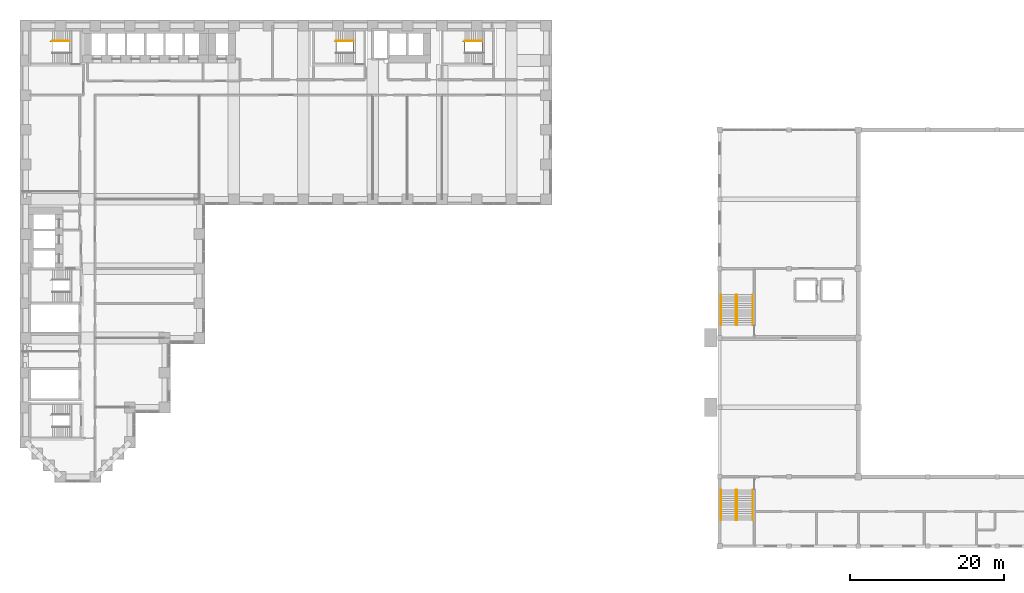
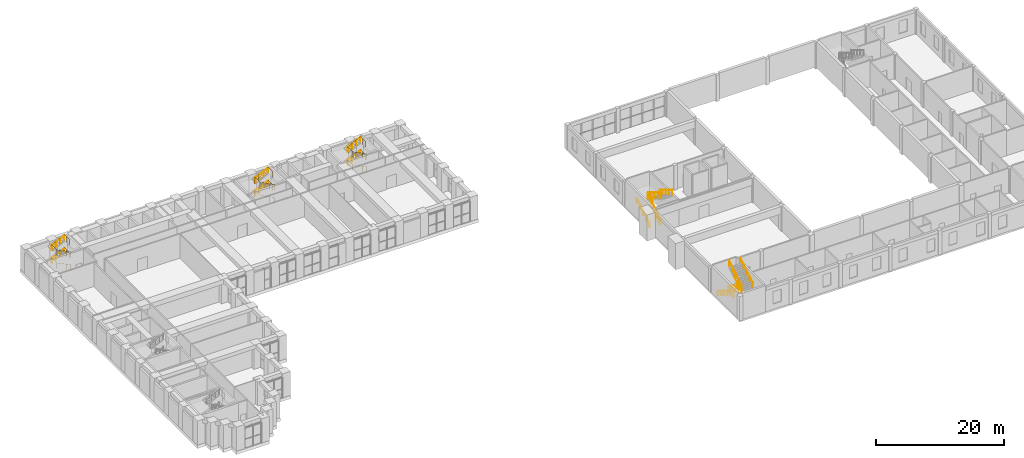
# One storey, part 28 of 30: 21 railings.
"""IFC4 building model written with IfcOpenShell, lengths in metres."""

from ifc_helpers import new_model, si_unit, direction, frame, origin, origin_2d, place, context, subcontext, project, spatial, circle, extrude, material, type_object, element, save


model = new_model("IFC4")

# Units and contexts
model_context = context("Model", 3, precision=1e-05, world=origin(), true_north=direction((0.0, 1.0)))
body_context = subcontext(model_context, "Body", "Model", "MODEL_VIEW")
ifc_project = project(units=[si_unit("LENGTHUNIT", "METRE"), si_unit("AREAUNIT", "SQUARE_METRE"), si_unit("VOLUMEUNIT", "CUBIC_METRE"), si_unit("PLANEANGLEUNIT", "RADIAN"), si_unit("MASSUNIT", "GRAM", prefix="KILO")], contexts=[model_context])

# Site, building, storey
site_placement = place(None, origin())
site = spatial("IfcSite", under=ifc_project, at=site_placement, CompositionType="ELEMENT")
building_placement = place(site_placement, origin())
building = spatial("IfcBuilding", under=site, at=building_placement, Name="Firuza Court", CompositionType="ELEMENT")
storey_placement = place(building_placement, frame((0.0, 0.0, 9.0)))
storey = spatial("IfcBuildingStorey", under=building, at=storey_placement, Name="L01", CompositionType="ELEMENT", Elevation=9.0)

# Railings
ifc_material_1 = material(Name="Steel S355", Category="steel")
railing_type_1 = type_object("IfcRailingType", Name="HALL HANDRAIL 900", PredefinedType="HANDRAIL", material=ifc_material_1)
railing_1_placement = place(storey_placement, frame((90.18994140625, -1.699951171875, 0.166748046875)))
element("IfcRailing", 1, at=railing_1_placement, inside=storey, type_object=railing_type_1, Name="Stair H1 flight 1 handrail L01", PredefinedType="HANDRAIL", context=body_context, shape_type="SweptSolid", body=[
    extrude(circle(Radius=0.02099609375, at=origin_2d()), frame((0.0, 0.0, 0.87890625), z_axis=(0.0, -0.859310244771, 0.511454693235), x_axis=(1.0, 0.0, 0.0)), (0.0, 0.0, 1.0), 4.56201171875),
    extrude(circle(Radius=0.02001953125, at=origin_2d()), origin(), (0.0, 0.0, 1.0), 0.85791015625),
    extrude(circle(Radius=0.02001953125, at=origin_2d()), frame((0.0, -0.97998046875, 0.583251953125)), (0.0, 0.0, 1.0), 0.85791015625),
    extrude(circle(Radius=0.02001953125, at=origin_2d()), frame((0.0, -1.9599609375, 1.16650390625)), (0.0, 0.0, 1.0), 0.85791015625),
    extrude(circle(Radius=0.02001953125, at=origin_2d()), frame((0.0, -2.940185546875, 1.75)), (0.0, 0.0, 1.0), 0.85791015625),
    extrude(circle(Radius=0.02001953125, at=origin_2d()), frame((0.0, -3.920166015625, 2.333251953125)), (0.0, 0.0, 1.0), 0.85791015625),
])
for number, where, name in (
    (2, (94.31005859375, -5.6201171875, 2.666748046875), "Stair H1 flight 2 handrail L01"),
    (3, (90.18994140625, 19.699951171875, 0.166748046875), "Stair H3 flight 1 handrail L01"),
):
    element("IfcRailing", number, at=place(storey_placement, frame(where)), inside=storey, type_object=railing_type_1, Name=name, PredefinedType="HANDRAIL", context=body_context, shape_type="SweptSolid", body=[
        extrude(circle(Radius=0.02099609375, at=origin_2d()), frame((0.0, 0.0, 0.87890625), z_axis=(0.0, 0.859310244771, 0.511454693235), x_axis=(-1.0, 0.0, 0.0)), (0.0, 0.0, 1.0), 4.56201171875),
        extrude(circle(Radius=0.02001953125, at=origin_2d()), origin(), (0.0, 0.0, 1.0), 0.85791015625),
        extrude(circle(Radius=0.02001953125, at=origin_2d()), frame((0.0, 0.97998046875, 0.583251953125)), (0.0, 0.0, 1.0), 0.85791015625),
        extrude(circle(Radius=0.02001953125, at=origin_2d()), frame((0.0, 1.9599609375, 1.16650390625)), (0.0, 0.0, 1.0), 0.85791015625),
        extrude(circle(Radius=0.02001953125, at=origin_2d()), frame((0.0, 2.940185546875, 1.75)), (0.0, 0.0, 1.0), 0.85791015625),
        extrude(circle(Radius=0.02001953125, at=origin_2d()), frame((0.0, 3.920166015625, 2.333251953125)), (0.0, 0.0, 1.0), 0.85791015625),
    ])
railing_2_placement = place(storey_placement, frame((94.31005859375, 23.6201171875, 2.666748046875)))
element("IfcRailing", 4, at=railing_2_placement, inside=storey, type_object=railing_type_1, Name="Stair H3 flight 2 handrail L01", PredefinedType="HANDRAIL", context=body_context, shape_type="SweptSolid", body=[
    extrude(circle(Radius=0.02099609375, at=origin_2d()), frame((0.0, 0.0, 0.87890625), z_axis=(0.0, -0.859310244771, 0.511454693235), x_axis=(1.0, 0.0, 0.0)), (0.0, 0.0, 1.0), 4.56201171875),
    extrude(circle(Radius=0.02001953125, at=origin_2d()), origin(), (0.0, 0.0, 1.0), 0.85791015625),
    extrude(circle(Radius=0.02001953125, at=origin_2d()), frame((0.0, -0.97998046875, 0.583251953125)), (0.0, 0.0, 1.0), 0.85791015625),
    extrude(circle(Radius=0.02001953125, at=origin_2d()), frame((0.0, -1.9599609375, 1.16650390625)), (0.0, 0.0, 1.0), 0.85791015625),
    extrude(circle(Radius=0.02001953125, at=origin_2d()), frame((0.0, -2.940185546875, 1.75)), (0.0, 0.0, 1.0), 0.85791015625),
    extrude(circle(Radius=0.02001953125, at=origin_2d()), frame((0.0, -3.920166015625, 2.333251953125)), (0.0, 0.0, 1.0), 0.85791015625),
])
ifc_material_2 = material(Name="Steel S355", Category="steel")
railing_type_2 = type_object("IfcRailingType", Name="HALL RAILING 1100", PredefinedType="GUARDRAIL", material=ifc_material_2)
railing_3_placement = place(storey_placement, frame((92.14990234375, -1.699951171875, 0.166748046875)))
element("IfcRailing", 5, at=railing_3_placement, inside=storey, type_object=railing_type_2, Name="Stair H1 flight 1 guard L01", PredefinedType="GUARDRAIL", context=body_context, shape_type="SweptSolid", body=[
    extrude(circle(Radius=0.02392578125, at=origin_2d()), frame((0.0, 0.0, 1.076171875), z_axis=(0.0, -0.859310244771, 0.511454693235), x_axis=(1.0, 0.0, 0.0)), (0.0, 0.0, 1.0), 4.56201171875),
    extrude(circle(Radius=0.02099609375, at=origin_2d()), origin(), (0.0, 0.0, 1.0), 1.052001953125),
    extrude(circle(Radius=0.02099609375, at=origin_2d()), frame((0.0, -0.97998046875, 0.583251953125)), (0.0, 0.0, 1.0), 1.052001953125),
    extrude(circle(Radius=0.02099609375, at=origin_2d()), frame((0.0, -1.9599609375, 1.16650390625)), (0.0, 0.0, 1.0), 1.052001953125),
    extrude(circle(Radius=0.02099609375, at=origin_2d()), frame((0.0, -2.940185546875, 1.75)), (0.0, 0.0, 1.0), 1.052001953125),
    extrude(circle(Radius=0.02099609375, at=origin_2d()), frame((0.0, -3.920166015625, 2.333251953125)), (0.0, 0.0, 1.0), 1.052001953125),
])
railing_4_placement = place(storey_placement, frame((92.25, -5.6201171875, 2.666748046875)))
element("IfcRailing", 6, at=railing_4_placement, inside=storey, type_object=railing_type_2, Name="Stair H1 flight 2 guard L01", PredefinedType="GUARDRAIL", context=body_context, shape_type="SweptSolid", body=[
    extrude(circle(Radius=0.02392578125, at=origin_2d()), frame((0.0, 0.0, 1.076171875), z_axis=(0.0, 0.859310244771, 0.511454693235), x_axis=(-1.0, 0.0, 0.0)), (0.0, 0.0, 1.0), 4.56201171875),
    extrude(circle(Radius=0.02099609375, at=origin_2d()), origin(), (0.0, 0.0, 1.0), 1.052001953125),
    extrude(circle(Radius=0.02099609375, at=origin_2d()), frame((0.0, 0.97998046875, 0.583251953125)), (0.0, 0.0, 1.0), 1.052001953125),
    extrude(circle(Radius=0.02099609375, at=origin_2d()), frame((0.0, 1.9599609375, 1.16650390625)), (0.0, 0.0, 1.0), 1.052001953125),
    extrude(circle(Radius=0.02099609375, at=origin_2d()), frame((0.0, 2.940185546875, 1.75)), (0.0, 0.0, 1.0), 1.052001953125),
    extrude(circle(Radius=0.02099609375, at=origin_2d()), frame((0.0, 3.920166015625, 2.333251953125)), (0.0, 0.0, 1.0), 1.052001953125),
])
railing_5_placement = place(storey_placement, frame((92.199951171875, -4.1201171875, 2.5)))
element("IfcRailing", 7, at=railing_5_placement, inside=storey, type_object=railing_type_2, Name="Stair H1 landing guard 1 L01", PredefinedType="GUARDRAIL", context=body_context, shape_type="SweptSolid", body=[
    extrude(circle(Radius=0.02392578125, at=origin_2d()), frame((0.0, 0.0, 1.076171875), z_axis=(0.0, -1.0, 0.0), x_axis=(1.0, 0.0, 0.0)), (0.0, 0.0, 1.0), 1.5),
    extrude(circle(Radius=0.02099609375, at=origin_2d()), origin(), (0.0, 0.0, 1.0), 1.052001953125),
    extrude(circle(Radius=0.02099609375, at=origin_2d()), frame((0.0, -0.75, 0.0)), (0.0, 0.0, 1.0), 1.052001953125),
    extrude(circle(Radius=0.02099609375, at=origin_2d()), frame((0.0, -1.5, 0.0)), (0.0, 0.0, 1.0), 1.052001953125),
])
railing_6_placement = place(storey_placement, frame((92.14990234375, 19.699951171875, 0.166748046875)))
element("IfcRailing", 8, at=railing_6_placement, inside=storey, type_object=railing_type_2, Name="Stair H3 flight 1 guard L01", PredefinedType="GUARDRAIL", context=body_context, shape_type="SweptSolid", body=[
    extrude(circle(Radius=0.02392578125, at=origin_2d()), frame((0.0, 0.0, 1.076171875), z_axis=(0.0, 0.859310244771, 0.511454693235), x_axis=(-1.0, 0.0, 0.0)), (0.0, 0.0, 1.0), 4.56201171875),
    extrude(circle(Radius=0.02099609375, at=origin_2d()), origin(), (0.0, 0.0, 1.0), 1.052001953125),
    extrude(circle(Radius=0.02099609375, at=origin_2d()), frame((0.0, 0.97998046875, 0.583251953125)), (0.0, 0.0, 1.0), 1.052001953125),
    extrude(circle(Radius=0.02099609375, at=origin_2d()), frame((0.0, 1.9599609375, 1.16650390625)), (0.0, 0.0, 1.0), 1.052001953125),
    extrude(circle(Radius=0.02099609375, at=origin_2d()), frame((0.0, 2.940185546875, 1.75)), (0.0, 0.0, 1.0), 1.052001953125),
    extrude(circle(Radius=0.02099609375, at=origin_2d()), frame((0.0, 3.920166015625, 2.333251953125)), (0.0, 0.0, 1.0), 1.052001953125),
])
railing_7_placement = place(storey_placement, frame((92.25, 23.6201171875, 2.666748046875)))
element("IfcRailing", 9, at=railing_7_placement, inside=storey, type_object=railing_type_2, Name="Stair H3 flight 2 guard L01", PredefinedType="GUARDRAIL", context=body_context, shape_type="SweptSolid", body=[
    extrude(circle(Radius=0.02392578125, at=origin_2d()), frame((0.0, 0.0, 1.076171875), z_axis=(0.0, -0.859310244771, 0.511454693235), x_axis=(1.0, 0.0, 0.0)), (0.0, 0.0, 1.0), 4.56201171875),
    extrude(circle(Radius=0.02099609375, at=origin_2d()), origin(), (0.0, 0.0, 1.0), 1.052001953125),
    extrude(circle(Radius=0.02099609375, at=origin_2d()), frame((0.0, -0.97998046875, 0.583251953125)), (0.0, 0.0, 1.0), 1.052001953125),
    extrude(circle(Radius=0.02099609375, at=origin_2d()), frame((0.0, -1.9599609375, 1.16650390625)), (0.0, 0.0, 1.0), 1.052001953125),
    extrude(circle(Radius=0.02099609375, at=origin_2d()), frame((0.0, -2.940185546875, 1.75)), (0.0, 0.0, 1.0), 1.052001953125),
    extrude(circle(Radius=0.02099609375, at=origin_2d()), frame((0.0, -3.920166015625, 2.333251953125)), (0.0, 0.0, 1.0), 1.052001953125),
])
railing_8_placement = place(storey_placement, frame((92.199951171875, 22.1201171875, 2.5)))
element("IfcRailing", 10, at=railing_8_placement, inside=storey, type_object=railing_type_2, Name="Stair H3 landing guard 1 L01", PredefinedType="GUARDRAIL", context=body_context, shape_type="SweptSolid", body=[
    extrude(circle(Radius=0.02392578125, at=origin_2d()), frame((0.0, 0.0, 1.076171875), z_axis=(0.0, 1.0, 0.0), x_axis=(-1.0, 0.0, 0.0)), (0.0, 0.0, 1.0), 1.5),
    extrude(circle(Radius=0.02099609375, at=origin_2d()), origin(), (0.0, 0.0, 1.0), 1.052001953125),
    extrude(circle(Radius=0.02099609375, at=origin_2d()), frame((0.0, 0.75, 0.0)), (0.0, 0.0, 1.0), 1.052001953125),
    extrude(circle(Radius=0.02099609375, at=origin_2d()), frame((0.0, 1.5, 0.0)), (0.0, 0.0, 1.0), 1.052001953125),
])
railing_9_placement = place(storey_placement, frame((92.199951171875, -1.699951171875, 0.0)))
element("IfcRailing", 11, at=railing_9_placement, inside=storey, type_object=railing_type_2, Name="Stair H1 floor guard L01", PredefinedType="GUARDRAIL", context=body_context, shape_type="SweptSolid", body=[
    extrude(circle(Radius=0.02392578125, at=origin_2d()), frame((0.0, 0.0, 1.076171875), z_axis=(0.0, -1.0, 0.0), x_axis=(1.0, 0.0, 0.0)), (0.0, 0.0, 1.0), 1.5),
    extrude(circle(Radius=0.02099609375, at=origin_2d()), origin(), (0.0, 0.0, 1.0), 1.052001953125),
    extrude(circle(Radius=0.02099609375, at=origin_2d()), frame((0.0, -0.75, 0.0)), (0.0, 0.0, 1.0), 1.052001953125),
    extrude(circle(Radius=0.02099609375, at=origin_2d()), frame((0.0, -1.5, 0.0)), (0.0, 0.0, 1.0), 1.052001953125),
])
railing_10_placement = place(storey_placement, frame((92.199951171875, 19.699951171875, 0.0)))
element("IfcRailing", 12, at=railing_10_placement, inside=storey, type_object=railing_type_2, Name="Stair H3 floor guard L01", PredefinedType="GUARDRAIL", context=body_context, shape_type="SweptSolid", body=[
    extrude(circle(Radius=0.02392578125, at=origin_2d()), frame((0.0, 0.0, 1.076171875), z_axis=(0.0, 1.0, 0.0), x_axis=(-1.0, 0.0, 0.0)), (0.0, 0.0, 1.0), 1.5),
    extrude(circle(Radius=0.02099609375, at=origin_2d()), origin(), (0.0, 0.0, 1.0), 1.052001953125),
    extrude(circle(Radius=0.02099609375, at=origin_2d()), frame((0.0, 0.75, 0.0)), (0.0, 0.0, 1.0), 1.052001953125),
    extrude(circle(Radius=0.02099609375, at=origin_2d()), frame((0.0, 1.5, 0.0)), (0.0, 0.0, 1.0), 1.052001953125),
])
ifc_material_3 = material(Name="Steel S355", Category="steel")
railing_type_3 = type_object("IfcRailingType", Name="Handrail 900", PredefinedType="HANDRAIL", material=ifc_material_3)
for number, where, name in (
    (13, (40.260009765625, 56.550048828125, 1.388916015625), "Handrail S1 flight 2"),
    (14, (40.260009765625, 56.550048828125, 3.888916015625), "Handrail S1 flight 4"),
    (15, (3.4599609375, 56.550048828125, 1.388916015625), "Handrail S3 flight 2"),
    (16, (3.4599609375, 56.550048828125, 3.888916015625), "Handrail S3 flight 4"),
    (17, (56.9599609375, 56.550048828125, 1.388916015625), "Handrail S4 flight 2"),
    (18, (56.9599609375, 56.550048828125, 3.888916015625), "Handrail S4 flight 4"),
):
    element("IfcRailing", number, at=place(storey_placement, frame(where)), inside=storey, type_object=railing_type_3, Name=name, PredefinedType="HANDRAIL", context=body_context, shape_type="SweptSolid", body=[
        extrude(circle(Radius=0.02490234375, at=origin_2d()), frame((0.0, 0.0, 0.875), z_axis=(0.895848192791, 0.0, 0.444360231651), x_axis=(0.0, 1.0, 0.0)), (0.0, 0.0, 1.0), 2.50048828125),
        extrude(circle(Radius=0.02001953125, at=origin_2d()), origin(), (0.0, 0.0, 1.0), 0.849853515625),
        extrude(circle(Radius=0.02001953125, at=origin_2d()), frame((0.74658203125, 0.0, 0.370361328125)), (0.0, 0.0, 1.0), 0.849853515625),
        extrude(circle(Radius=0.02001953125, at=origin_2d()), frame((1.493408203125, 0.0, 0.74072265625)), (0.0, 0.0, 1.0), 0.849853515625),
        extrude(circle(Radius=0.02001953125, at=origin_2d()), frame((2.239990234375, 0.0, 1.111083984375)), (0.0, 0.0, 1.0), 0.849853515625),
    ])
ifc_material_4 = material(Name="Steel S355", Category="steel")
railing_type_4 = type_object("IfcRailingType", Name="Stair guard 1100", PredefinedType="GUARDRAIL", material=ifc_material_4)
railing_11_placement = place(storey_placement, frame((42.780029296875, 55.010009765625, 0.0)))
element("IfcRailing", 19, at=railing_11_placement, inside=storey, type_object=railing_type_4, Name="Stair well guard S1", PredefinedType="GUARDRAIL", context=body_context, shape_type="SweptSolid", body=[
    extrude(circle(Radius=0.02490234375, at=origin_2d()), frame((0.0, 0.0, 1.0751953125), z_axis=(-0.89584601627, 0.0, 0.44436461958), x_axis=(0.0, -1.0, 0.0)), (0.0, 0.0, 1.0), 2.81298828125),
    extrude(circle(Radius=0.02490234375, at=origin_2d()), frame((-2.52001953125, 0.0, 2.3251953125), z_axis=(0.0, 1.0, 0.0), x_axis=(-1.0, 0.0, 0.0)), (0.0, 0.0, 1.0), 1.47998046875),
    extrude(circle(Radius=0.02490234375, at=origin_2d()), frame((-2.52001953125, 1.47998046875, 2.3251953125), z_axis=(-1.0, 0.0, 0.0), x_axis=(0.0, -1.0, 0.0)), (0.0, 0.0, 1.0), 0.280029296875),
    extrude(circle(Radius=0.02490234375, at=origin_2d()), frame((-2.800048828125, 1.47998046875, 2.3251953125), z_axis=(0.89584601627, 0.0, 0.44436461958), x_axis=(0.0, 1.0, 0.0)), (0.0, 0.0, 1.0), 2.81298828125),
    extrude(circle(Radius=0.02490234375, at=origin_2d()), frame((-0.280029296875, 1.47998046875, 3.5751953125), z_axis=(0.0, -1.0, 0.0), x_axis=(1.0, 0.0, 0.0)), (0.0, 0.0, 1.0), 1.47998046875),
    extrude(circle(Radius=0.02490234375, at=origin_2d()), frame((-0.280029296875, 0.0, 3.5751953125), z_axis=(1.0, 0.0, 0.0), x_axis=(0.0, 1.0, 0.0)), (0.0, 0.0, 1.0), 0.280029296875),
    extrude(circle(Radius=0.02490234375, at=origin_2d()), frame((0.0, 0.0, 3.5751953125), z_axis=(-0.89584601627, 0.0, 0.44436461958), x_axis=(0.0, -1.0, 0.0)), (0.0, 0.0, 1.0), 2.81298828125),
    extrude(circle(Radius=0.02490234375, at=origin_2d()), frame((-2.52001953125, 0.0, 4.8251953125), z_axis=(0.0, 1.0, 0.0), x_axis=(-1.0, 0.0, 0.0)), (0.0, 0.0, 1.0), 1.47998046875),
    extrude(circle(Radius=0.02490234375, at=origin_2d()), frame((-2.52001953125, 1.47998046875, 4.8251953125), z_axis=(-1.0, 0.0, 0.0), x_axis=(0.0, -1.0, 0.0)), (0.0, 0.0, 1.0), 0.280029296875),
    extrude(circle(Radius=0.02490234375, at=origin_2d()), frame((-2.800048828125, 1.47998046875, 4.8251953125), z_axis=(0.89584601627, 0.0, 0.44436461958), x_axis=(0.0, 1.0, 0.0)), (0.0, 0.0, 1.0), 2.81298828125),
    extrude(circle(Radius=0.02490234375, at=origin_2d()), frame((-0.280029296875, 1.47998046875, 6.0751953125), z_axis=(0.0, -1.0, 0.0), x_axis=(1.0, 0.0, 0.0)), (0.0, 0.0, 1.0), 1.47998046875),
    extrude(circle(Radius=0.02490234375, at=origin_2d()), origin(), (0.0, 0.0, 1.0), 1.050048828125),
    extrude(circle(Radius=0.02490234375, at=origin_2d()), frame((-0.840087890625, 0.0, 0.416748046875)), (0.0, 0.0, 1.0), 1.050048828125),
    extrude(circle(Radius=0.02490234375, at=origin_2d()), frame((-1.679931640625, 0.0, 0.833251953125)), (0.0, 0.0, 1.0), 1.050048828125),
    extrude(circle(Radius=0.02490234375, at=origin_2d()), frame((-2.52001953125, 0.0, 1.25)), (0.0, 0.0, 1.0), 1.050048828125),
    extrude(circle(Radius=0.02490234375, at=origin_2d()), frame((-2.52001953125, 0.739990234375, 1.25)), (0.0, 0.0, 1.0), 1.050048828125),
    extrude(circle(Radius=0.02490234375, at=origin_2d()), frame((-2.52001953125, 1.47998046875, 1.25)), (0.0, 0.0, 1.0), 1.050048828125),
    extrude(circle(Radius=0.02490234375, at=origin_2d()), frame((-2.800048828125, 1.47998046875, 1.25)), (0.0, 0.0, 1.0), 1.050048828125),
    extrude(circle(Radius=0.02490234375, at=origin_2d()), frame((-1.9599609375, 1.47998046875, 1.666748046875)), (0.0, 0.0, 1.0), 1.050048828125),
    extrude(circle(Radius=0.02490234375, at=origin_2d()), frame((-1.1201171875, 1.47998046875, 2.083251953125)), (0.0, 0.0, 1.0), 1.050048828125),
    extrude(circle(Radius=0.02490234375, at=origin_2d()), frame((-0.280029296875, 1.47998046875, 2.5)), (0.0, 0.0, 1.0), 1.050048828125),
    extrude(circle(Radius=0.02490234375, at=origin_2d()), frame((-0.280029296875, 0.739990234375, 2.5)), (0.0, 0.0, 1.0), 1.050048828125),
    extrude(circle(Radius=0.02490234375, at=origin_2d()), frame((-0.280029296875, 0.0, 2.5)), (0.0, 0.0, 1.0), 1.050048828125),
    extrude(circle(Radius=0.02490234375, at=origin_2d()), frame((0.0, 0.0, 2.5)), (0.0, 0.0, 1.0), 1.050048828125),
    extrude(circle(Radius=0.02490234375, at=origin_2d()), frame((-0.840087890625, 0.0, 2.916748046875)), (0.0, 0.0, 1.0), 1.050048828125),
    extrude(circle(Radius=0.02490234375, at=origin_2d()), frame((-1.679931640625, 0.0, 3.333251953125)), (0.0, 0.0, 1.0), 1.050048828125),
    extrude(circle(Radius=0.02490234375, at=origin_2d()), frame((-2.52001953125, 0.0, 3.75)), (0.0, 0.0, 1.0), 1.050048828125),
    extrude(circle(Radius=0.02490234375, at=origin_2d()), frame((-2.52001953125, 0.739990234375, 3.75)), (0.0, 0.0, 1.0), 1.050048828125),
    extrude(circle(Radius=0.02490234375, at=origin_2d()), frame((-2.52001953125, 1.47998046875, 3.75)), (0.0, 0.0, 1.0), 1.050048828125),
    extrude(circle(Radius=0.02490234375, at=origin_2d()), frame((-2.800048828125, 1.47998046875, 3.75)), (0.0, 0.0, 1.0), 1.050048828125),
    extrude(circle(Radius=0.02490234375, at=origin_2d()), frame((-1.9599609375, 1.47998046875, 4.166748046875)), (0.0, 0.0, 1.0), 1.050048828125),
    extrude(circle(Radius=0.02490234375, at=origin_2d()), frame((-1.1201171875, 1.47998046875, 4.583251953125)), (0.0, 0.0, 1.0), 1.050048828125),
    extrude(circle(Radius=0.02490234375, at=origin_2d()), frame((-0.280029296875, 1.47998046875, 5.0)), (0.0, 0.0, 1.0), 1.050048828125),
    extrude(circle(Radius=0.02490234375, at=origin_2d()), frame((-0.280029296875, 0.739990234375, 5.0)), (0.0, 0.0, 1.0), 1.050048828125),
    extrude(circle(Radius=0.02490234375, at=origin_2d()), frame((-0.280029296875, 0.0, 5.0)), (0.0, 0.0, 1.0), 1.050048828125),
])
railing_12_placement = place(storey_placement, frame((5.97998046875, 55.010009765625, 0.0)))
element("IfcRailing", 20, at=railing_12_placement, inside=storey, type_object=railing_type_4, Name="Stair well guard S3", PredefinedType="GUARDRAIL", context=body_context, shape_type="SweptSolid", body=[
    extrude(circle(Radius=0.02490234375, at=origin_2d()), frame((0.0, 0.0, 1.0751953125), z_axis=(-0.89584601627, 0.0, 0.44436461958), x_axis=(0.0, -1.0, 0.0)), (0.0, 0.0, 1.0), 2.81298828125),
    extrude(circle(Radius=0.02490234375, at=origin_2d()), frame((-2.52001953125, 0.0, 2.3251953125), z_axis=(0.0, 1.0, 0.0), x_axis=(-1.0, 0.0, 0.0)), (0.0, 0.0, 1.0), 1.47998046875),
    extrude(circle(Radius=0.02490234375, at=origin_2d()), frame((-2.52001953125, 1.47998046875, 2.3251953125), z_axis=(-1.0, 0.0, 0.0), x_axis=(0.0, -1.0, 0.0)), (0.0, 0.0, 1.0), 0.280029296875),
    extrude(circle(Radius=0.02490234375, at=origin_2d()), frame((-2.800048828125, 1.47998046875, 2.3251953125), z_axis=(0.89584601627, 0.0, 0.44436461958), x_axis=(0.0, 1.0, 0.0)), (0.0, 0.0, 1.0), 2.81298828125),
    extrude(circle(Radius=0.02490234375, at=origin_2d()), frame((-0.280029296875, 1.47998046875, 3.5751953125), z_axis=(0.0, -1.0, 0.0), x_axis=(1.0, 0.0, 0.0)), (0.0, 0.0, 1.0), 1.47998046875),
    extrude(circle(Radius=0.02490234375, at=origin_2d()), frame((-0.280029296875, 0.0, 3.5751953125), z_axis=(1.0, 0.0, 0.0), x_axis=(0.0, 1.0, 0.0)), (0.0, 0.0, 1.0), 0.280029296875),
    extrude(circle(Radius=0.02490234375, at=origin_2d()), frame((0.0, 0.0, 3.5751953125), z_axis=(-0.89584601627, 0.0, 0.44436461958), x_axis=(0.0, -1.0, 0.0)), (0.0, 0.0, 1.0), 2.81298828125),
    extrude(circle(Radius=0.02490234375, at=origin_2d()), frame((-2.52001953125, 0.0, 4.8251953125), z_axis=(0.0, 1.0, 0.0), x_axis=(-1.0, 0.0, 0.0)), (0.0, 0.0, 1.0), 1.47998046875),
    extrude(circle(Radius=0.02490234375, at=origin_2d()), frame((-2.52001953125, 1.47998046875, 4.8251953125), z_axis=(-1.0, 0.0, 0.0), x_axis=(0.0, -1.0, 0.0)), (0.0, 0.0, 1.0), 0.280029296875),
    extrude(circle(Radius=0.02490234375, at=origin_2d()), frame((-2.800048828125, 1.47998046875, 4.8251953125), z_axis=(0.89584601627, 0.0, 0.44436461958), x_axis=(0.0, 1.0, 0.0)), (0.0, 0.0, 1.0), 2.81298828125),
    extrude(circle(Radius=0.02490234375, at=origin_2d()), frame((-0.280029296875, 1.47998046875, 6.0751953125), z_axis=(0.0, -1.0, 0.0), x_axis=(1.0, 0.0, 0.0)), (0.0, 0.0, 1.0), 1.47998046875),
    extrude(circle(Radius=0.02490234375, at=origin_2d()), origin(), (0.0, 0.0, 1.0), 1.050048828125),
    extrude(circle(Radius=0.02490234375, at=origin_2d()), frame((-0.840087890625, 0.0, 0.416748046875)), (0.0, 0.0, 1.0), 1.050048828125),
    extrude(circle(Radius=0.02490234375, at=origin_2d()), frame((-1.679931640625, 0.0, 0.833251953125)), (0.0, 0.0, 1.0), 1.050048828125),
    extrude(circle(Radius=0.02490234375, at=origin_2d()), frame((-2.52001953125, 0.0, 1.25)), (0.0, 0.0, 1.0), 1.050048828125),
    extrude(circle(Radius=0.02490234375, at=origin_2d()), frame((-2.52001953125, 0.739990234375, 1.25)), (0.0, 0.0, 1.0), 1.050048828125),
    extrude(circle(Radius=0.02490234375, at=origin_2d()), frame((-2.52001953125, 1.47998046875, 1.25)), (0.0, 0.0, 1.0), 1.050048828125),
    extrude(circle(Radius=0.02490234375, at=origin_2d()), frame((-2.800048828125, 1.47998046875, 1.25)), (0.0, 0.0, 1.0), 1.050048828125),
    extrude(circle(Radius=0.02490234375, at=origin_2d()), frame((-1.9599609375, 1.47998046875, 1.666748046875)), (0.0, 0.0, 1.0), 1.050048828125),
    extrude(circle(Radius=0.02490234375, at=origin_2d()), frame((-1.1201171875, 1.47998046875, 2.083251953125)), (0.0, 0.0, 1.0), 1.050048828125),
    extrude(circle(Radius=0.02490234375, at=origin_2d()), frame((-0.280029296875, 1.47998046875, 2.5)), (0.0, 0.0, 1.0), 1.050048828125),
    extrude(circle(Radius=0.02490234375, at=origin_2d()), frame((-0.280029296875, 0.739990234375, 2.5)), (0.0, 0.0, 1.0), 1.050048828125),
    extrude(circle(Radius=0.02490234375, at=origin_2d()), frame((-0.280029296875, 0.0, 2.5)), (0.0, 0.0, 1.0), 1.050048828125),
    extrude(circle(Radius=0.02490234375, at=origin_2d()), frame((0.0, 0.0, 2.5)), (0.0, 0.0, 1.0), 1.050048828125),
    extrude(circle(Radius=0.02490234375, at=origin_2d()), frame((-0.840087890625, 0.0, 2.916748046875)), (0.0, 0.0, 1.0), 1.050048828125),
    extrude(circle(Radius=0.02490234375, at=origin_2d()), frame((-1.679931640625, 0.0, 3.333251953125)), (0.0, 0.0, 1.0), 1.050048828125),
    extrude(circle(Radius=0.02490234375, at=origin_2d()), frame((-2.52001953125, 0.0, 3.75)), (0.0, 0.0, 1.0), 1.050048828125),
    extrude(circle(Radius=0.02490234375, at=origin_2d()), frame((-2.52001953125, 0.739990234375, 3.75)), (0.0, 0.0, 1.0), 1.050048828125),
    extrude(circle(Radius=0.02490234375, at=origin_2d()), frame((-2.52001953125, 1.47998046875, 3.75)), (0.0, 0.0, 1.0), 1.050048828125),
    extrude(circle(Radius=0.02490234375, at=origin_2d()), frame((-2.800048828125, 1.47998046875, 3.75)), (0.0, 0.0, 1.0), 1.050048828125),
    extrude(circle(Radius=0.02490234375, at=origin_2d()), frame((-1.9599609375, 1.47998046875, 4.166748046875)), (0.0, 0.0, 1.0), 1.050048828125),
    extrude(circle(Radius=0.02490234375, at=origin_2d()), frame((-1.1201171875, 1.47998046875, 4.583251953125)), (0.0, 0.0, 1.0), 1.050048828125),
    extrude(circle(Radius=0.02490234375, at=origin_2d()), frame((-0.280029296875, 1.47998046875, 5.0)), (0.0, 0.0, 1.0), 1.050048828125),
    extrude(circle(Radius=0.02490234375, at=origin_2d()), frame((-0.280029296875, 0.739990234375, 5.0)), (0.0, 0.0, 1.0), 1.050048828125),
    extrude(circle(Radius=0.02490234375, at=origin_2d()), frame((-0.280029296875, 0.0, 5.0)), (0.0, 0.0, 1.0), 1.050048828125),
])
railing_13_placement = place(storey_placement, frame((59.47998046875, 55.010009765625, 0.0)))
element("IfcRailing", 21, at=railing_13_placement, inside=storey, type_object=railing_type_4, Name="Stair well guard S4", PredefinedType="GUARDRAIL", context=body_context, shape_type="SweptSolid", body=[
    extrude(circle(Radius=0.02490234375, at=origin_2d()), frame((0.0, 0.0, 1.0751953125), z_axis=(-0.89584601627, 0.0, 0.44436461958), x_axis=(0.0, -1.0, 0.0)), (0.0, 0.0, 1.0), 2.81298828125),
    extrude(circle(Radius=0.02490234375, at=origin_2d()), frame((-2.52001953125, 0.0, 2.3251953125), z_axis=(0.0, 1.0, 0.0), x_axis=(-1.0, 0.0, 0.0)), (0.0, 0.0, 1.0), 1.47998046875),
    extrude(circle(Radius=0.02490234375, at=origin_2d()), frame((-2.52001953125, 1.47998046875, 2.3251953125), z_axis=(-1.0, 0.0, 0.0), x_axis=(0.0, -1.0, 0.0)), (0.0, 0.0, 1.0), 0.280029296875),
    extrude(circle(Radius=0.02490234375, at=origin_2d()), frame((-2.800048828125, 1.47998046875, 2.3251953125), z_axis=(0.89584601627, 0.0, 0.44436461958), x_axis=(0.0, 1.0, 0.0)), (0.0, 0.0, 1.0), 2.81298828125),
    extrude(circle(Radius=0.02490234375, at=origin_2d()), frame((-0.280029296875, 1.47998046875, 3.5751953125), z_axis=(0.0, -1.0, 0.0), x_axis=(1.0, 0.0, 0.0)), (0.0, 0.0, 1.0), 1.47998046875),
    extrude(circle(Radius=0.02490234375, at=origin_2d()), frame((-0.280029296875, 0.0, 3.5751953125), z_axis=(1.0, 0.0, 0.0), x_axis=(0.0, 1.0, 0.0)), (0.0, 0.0, 1.0), 0.280029296875),
    extrude(circle(Radius=0.02490234375, at=origin_2d()), frame((0.0, 0.0, 3.5751953125), z_axis=(-0.89584601627, 0.0, 0.44436461958), x_axis=(0.0, -1.0, 0.0)), (0.0, 0.0, 1.0), 2.81298828125),
    extrude(circle(Radius=0.02490234375, at=origin_2d()), frame((-2.52001953125, 0.0, 4.8251953125), z_axis=(0.0, 1.0, 0.0), x_axis=(-1.0, 0.0, 0.0)), (0.0, 0.0, 1.0), 1.47998046875),
    extrude(circle(Radius=0.02490234375, at=origin_2d()), frame((-2.52001953125, 1.47998046875, 4.8251953125), z_axis=(-1.0, 0.0, 0.0), x_axis=(0.0, -1.0, 0.0)), (0.0, 0.0, 1.0), 0.280029296875),
    extrude(circle(Radius=0.02490234375, at=origin_2d()), frame((-2.800048828125, 1.47998046875, 4.8251953125), z_axis=(0.89584601627, 0.0, 0.44436461958), x_axis=(0.0, 1.0, 0.0)), (0.0, 0.0, 1.0), 2.81298828125),
    extrude(circle(Radius=0.02490234375, at=origin_2d()), frame((-0.280029296875, 1.47998046875, 6.0751953125), z_axis=(0.0, -1.0, 0.0), x_axis=(1.0, 0.0, 0.0)), (0.0, 0.0, 1.0), 1.47998046875),
    extrude(circle(Radius=0.02490234375, at=origin_2d()), origin(), (0.0, 0.0, 1.0), 1.050048828125),
    extrude(circle(Radius=0.02490234375, at=origin_2d()), frame((-0.840087890625, 0.0, 0.416748046875)), (0.0, 0.0, 1.0), 1.050048828125),
    extrude(circle(Radius=0.02490234375, at=origin_2d()), frame((-1.679931640625, 0.0, 0.833251953125)), (0.0, 0.0, 1.0), 1.050048828125),
    extrude(circle(Radius=0.02490234375, at=origin_2d()), frame((-2.52001953125, 0.0, 1.25)), (0.0, 0.0, 1.0), 1.050048828125),
    extrude(circle(Radius=0.02490234375, at=origin_2d()), frame((-2.52001953125, 0.739990234375, 1.25)), (0.0, 0.0, 1.0), 1.050048828125),
    extrude(circle(Radius=0.02490234375, at=origin_2d()), frame((-2.52001953125, 1.47998046875, 1.25)), (0.0, 0.0, 1.0), 1.050048828125),
    extrude(circle(Radius=0.02490234375, at=origin_2d()), frame((-2.800048828125, 1.47998046875, 1.25)), (0.0, 0.0, 1.0), 1.050048828125),
    extrude(circle(Radius=0.02490234375, at=origin_2d()), frame((-1.9599609375, 1.47998046875, 1.666748046875)), (0.0, 0.0, 1.0), 1.050048828125),
    extrude(circle(Radius=0.02490234375, at=origin_2d()), frame((-1.1201171875, 1.47998046875, 2.083251953125)), (0.0, 0.0, 1.0), 1.050048828125),
    extrude(circle(Radius=0.02490234375, at=origin_2d()), frame((-0.280029296875, 1.47998046875, 2.5)), (0.0, 0.0, 1.0), 1.050048828125),
    extrude(circle(Radius=0.02490234375, at=origin_2d()), frame((-0.280029296875, 0.739990234375, 2.5)), (0.0, 0.0, 1.0), 1.050048828125),
    extrude(circle(Radius=0.02490234375, at=origin_2d()), frame((-0.280029296875, 0.0, 2.5)), (0.0, 0.0, 1.0), 1.050048828125),
    extrude(circle(Radius=0.02490234375, at=origin_2d()), frame((0.0, 0.0, 2.5)), (0.0, 0.0, 1.0), 1.050048828125),
    extrude(circle(Radius=0.02490234375, at=origin_2d()), frame((-0.840087890625, 0.0, 2.916748046875)), (0.0, 0.0, 1.0), 1.050048828125),
    extrude(circle(Radius=0.02490234375, at=origin_2d()), frame((-1.679931640625, 0.0, 3.333251953125)), (0.0, 0.0, 1.0), 1.050048828125),
    extrude(circle(Radius=0.02490234375, at=origin_2d()), frame((-2.52001953125, 0.0, 3.75)), (0.0, 0.0, 1.0), 1.050048828125),
    extrude(circle(Radius=0.02490234375, at=origin_2d()), frame((-2.52001953125, 0.739990234375, 3.75)), (0.0, 0.0, 1.0), 1.050048828125),
    extrude(circle(Radius=0.02490234375, at=origin_2d()), frame((-2.52001953125, 1.47998046875, 3.75)), (0.0, 0.0, 1.0), 1.050048828125),
    extrude(circle(Radius=0.02490234375, at=origin_2d()), frame((-2.800048828125, 1.47998046875, 3.75)), (0.0, 0.0, 1.0), 1.050048828125),
    extrude(circle(Radius=0.02490234375, at=origin_2d()), frame((-1.9599609375, 1.47998046875, 4.166748046875)), (0.0, 0.0, 1.0), 1.050048828125),
    extrude(circle(Radius=0.02490234375, at=origin_2d()), frame((-1.1201171875, 1.47998046875, 4.583251953125)), (0.0, 0.0, 1.0), 1.050048828125),
    extrude(circle(Radius=0.02490234375, at=origin_2d()), frame((-0.280029296875, 1.47998046875, 5.0)), (0.0, 0.0, 1.0), 1.050048828125),
    extrude(circle(Radius=0.02490234375, at=origin_2d()), frame((-0.280029296875, 0.739990234375, 5.0)), (0.0, 0.0, 1.0), 1.050048828125),
    extrude(circle(Radius=0.02490234375, at=origin_2d()), frame((-0.280029296875, 0.0, 5.0)), (0.0, 0.0, 1.0), 1.050048828125),
])

save(model, "model.ifc")
